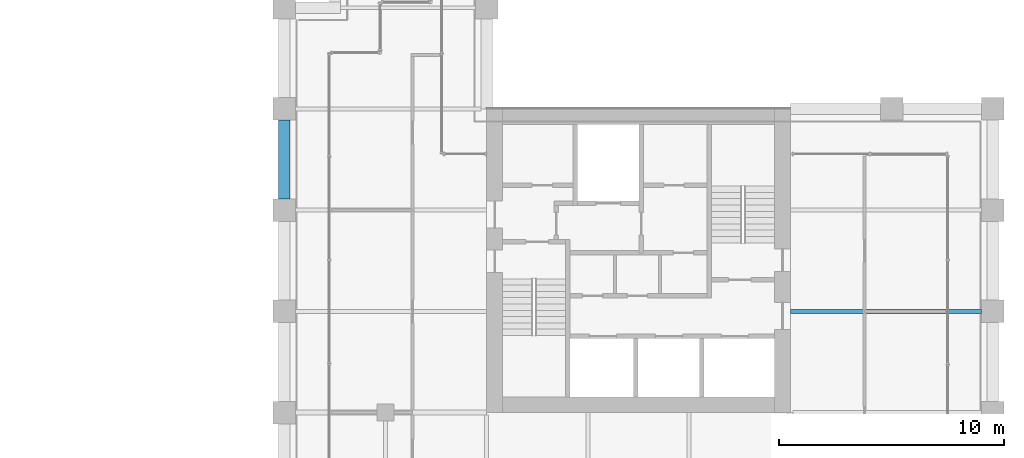
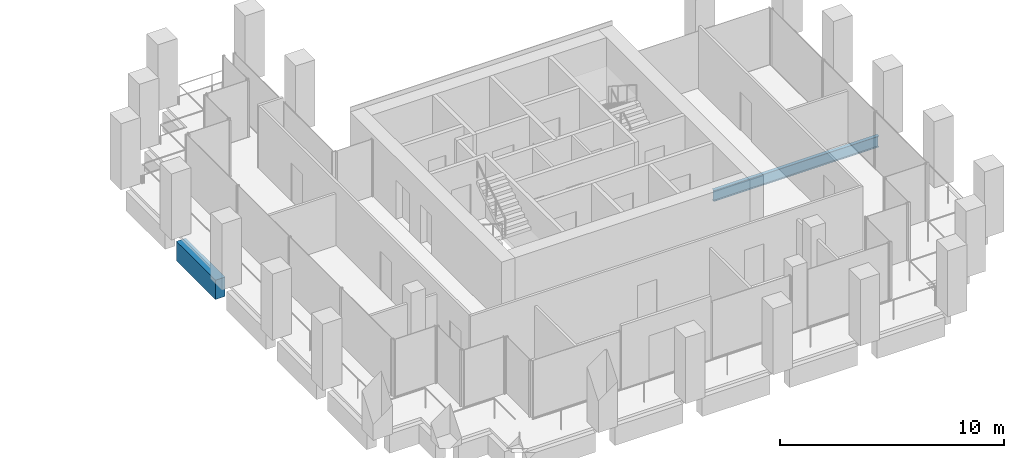
# One storey, part 33 of 46: 2 beams.
"""IFC4 building model written with IfcOpenShell, lengths in metres."""

from ifc_helpers import new_model, si_unit, direction, frame, origin, origin_2d, place, context, subcontext, project, spatial, rectangle, i_section, extrude, material, material_profile, profile_set, type_object, element, save


model = new_model("IFC4")

# Units and contexts
model_context = context("Model", 3, precision=1e-05, world=origin(), true_north=direction((0.0, 1.0)))
body_context = subcontext(model_context, "Body", "Model", "MODEL_VIEW")
ifc_project = project(units=[si_unit("LENGTHUNIT", "METRE"), si_unit("AREAUNIT", "SQUARE_METRE"), si_unit("VOLUMEUNIT", "CUBIC_METRE"), si_unit("PLANEANGLEUNIT", "RADIAN"), si_unit("MASSUNIT", "GRAM", prefix="KILO")], contexts=[model_context])

# Site, building, storey
site_placement = place(None, origin())
site = spatial("IfcSite", under=ifc_project, at=site_placement, CompositionType="ELEMENT")
building_placement = place(site_placement, origin())
building = spatial("IfcBuilding", under=site, at=building_placement, Name="Altepetl Exchange Towers", CompositionType="ELEMENT")
storey_placement = place(building_placement, frame((0.0, 0.0, 124.39990234375)))
storey = spatial("IfcBuildingStorey", under=building, at=storey_placement, Name="L30", CompositionType="ELEMENT", Elevation=124.39990234375)

# Beams
ifc_material_1 = material(Name="Steel S355", Category="steel")
ifc_material_profile_1 = material_profile(ifc_material_1, i_section(OverallWidth=0.177978515625, OverallDepth=0.59912109375, WebThickness=0.010009765625, FlangeThickness=0.0126953125, at=origin_2d()), Name="W24X55")
ifc_profile_set_1 = profile_set([ifc_material_profile_1], Name="Steel S355")
beam_type_1 = type_object("IfcBeamType", Name="Floor beam W24X55", PredefinedType="BEAM", material=ifc_profile_set_1)
beam_1_placement = place(storey_placement, frame((117.0, 40.5, -0.449462890625), z_axis=(1.0, 0.0, 0.0), x_axis=(0.0, 1.0, 0.0)))
element("IfcBeam", 1, at=beam_1_placement, inside=storey, type_object=beam_type_1, Name="bm:B:L30:002", PredefinedType="BEAM", context=body_context, shape_type="SweptSolid", body=[
    extrude(i_section(OverallWidth=0.177978515625, OverallDepth=0.59912109375, WebThickness=0.010009765625, FlangeThickness=0.0126953125, at=origin_2d()), origin(), (0.0, 0.0, 1.0), 8.5),
])
ifc_material_2 = material(Name="Concrete C50/60 precast with cantera rosa facing", Category="concrete")
ifc_material_profile_2 = material_profile(ifc_material_2, rectangle(XDim=0.5, YDim=1.050048828125, at=origin_2d()), Name="500 x 1050")
ifc_profile_set_2 = profile_set([ifc_material_profile_2], Name="Concrete C50/60 precast with cantera rosa facing")
beam_type_2 = type_object("IfcBeamType", Name="Spandrel beam 500x1050 cantera rosa", PredefinedType="SPANDREL", material=ifc_profile_set_2)
beam_2_placement = place(storey_placement, frame((94.5, 49.0, -0.6748046875), z_axis=(0.0, -1.0, 0.0), x_axis=(1.0, 0.0, 0.0)))
element("IfcBeam", 2, at=beam_2_placement, inside=storey, type_object=beam_type_2, Name="sp:B:L30:023", PredefinedType="SPANDREL", context=body_context, shape_type="SweptSolid", body=[
    extrude(rectangle(XDim=0.5, YDim=1.050048828125, at=origin_2d()), origin(), (0.0, 0.0, 1.0), 3.5),
])

save(model, "model.ifc")
